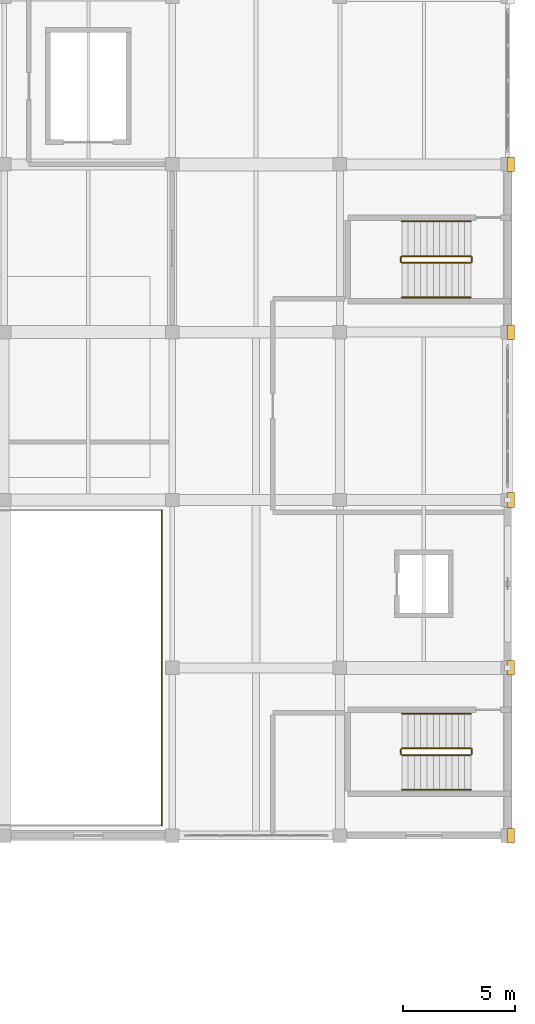
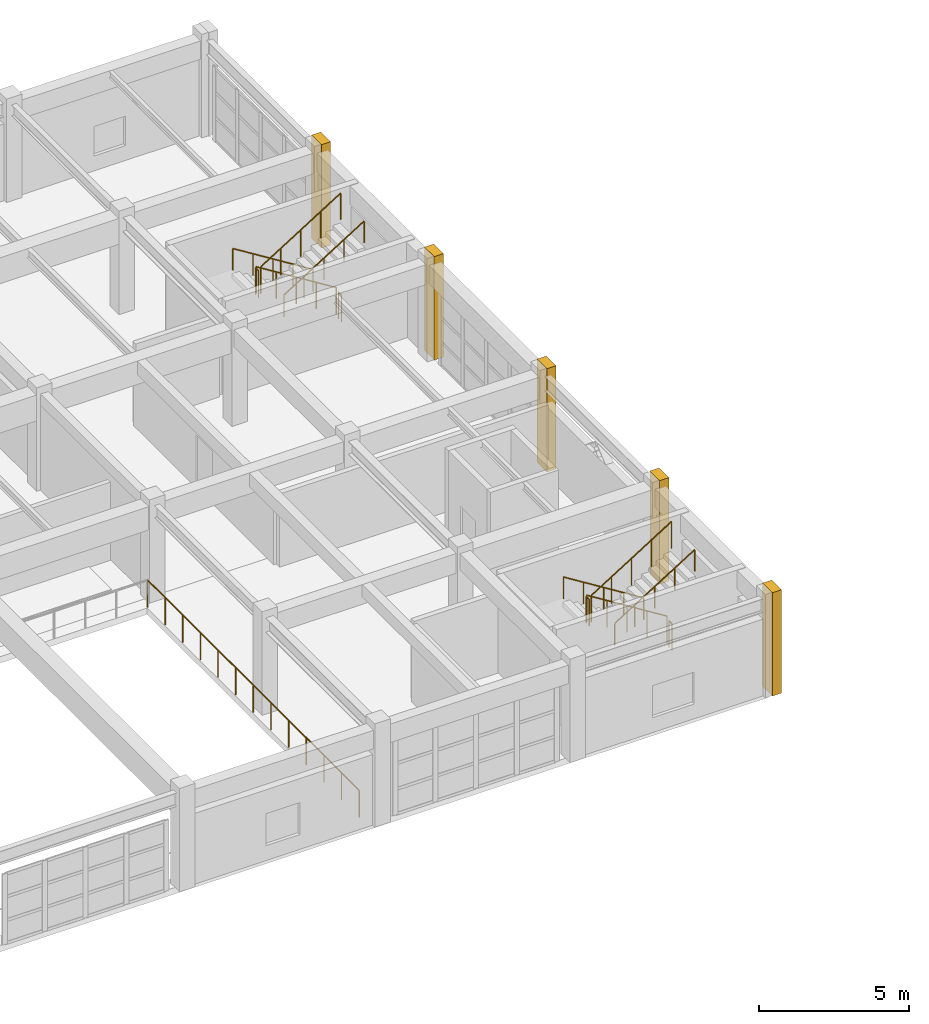
# One storey, part 123 of 124: 13 railings, 5 coverings.
"""IFC4 building model written with IfcOpenShell, lengths in metres."""

from ifc_helpers import new_model, si_unit, direction, frame, origin, origin_2d, place, context, subcontext, project, spatial, rectangle, circle, extrude, material, layer, layer_set, type_object, element, save


model = new_model("IFC4")

# Units and contexts
model_context = context("Model", 3, precision=1e-05, world=origin(), true_north=direction((0.0, 1.0)))
body_context = subcontext(model_context, "Body", "Model", "MODEL_VIEW")
ifc_project = project(units=[si_unit("LENGTHUNIT", "METRE"), si_unit("AREAUNIT", "SQUARE_METRE"), si_unit("VOLUMEUNIT", "CUBIC_METRE"), si_unit("PLANEANGLEUNIT", "RADIAN"), si_unit("MASSUNIT", "GRAM", prefix="KILO")], contexts=[model_context])

# Site, building, storey
site_placement = place(None, origin())
site = spatial("IfcSite", under=ifc_project, at=site_placement, CompositionType="ELEMENT")
building_placement = place(site_placement, origin())
building = spatial("IfcBuilding", under=site, at=building_placement, Name="Qasida Concert Hall", CompositionType="ELEMENT")
storey_placement = place(building_placement, frame((0.0, 0.0, 9.0)))
storey = spatial("IfcBuildingStorey", under=building, at=storey_placement, Name="L02", CompositionType="ELEMENT", Elevation=9.0)

# Coverings
ifc_material_1 = material(Name="Projecting fluted Lebanese limestone Art Deco pilaster", Category="masonry")
ifc_layer_1 = layer(ifc_material_1, 0.35009765625, Name="Projecting fluted Lebanese limestone Art Deco pilaster")
ifc_layer_set_1 = layer_set([ifc_layer_1], Name="Projecting fluted Lebanese limestone Art Deco pilaster")
covering_type = type_object("IfcCoveringType", Name="CV-PIL-650", PredefinedType="CLADDING", material=ifc_layer_set_1)
for number, where, z_axis, x_axis, name in (
    (1, (165.135009765625, 75.0, 0.0), (0.0, 0.0, 1.0), (1.0, 0.0, 0.0), "L02 fluted limestone pilaster 0237"),
    (2, (165.135009765625, 82.5, 0.0), (0.0, 0.0, 1.0), (1.0, 0.0, 0.0), "L02 fluted limestone pilaster 0242"),
    (3, (165.135009765625, 90.0, 0.0), (0.0, 0.0, 1.0), (1.0, 0.0, 0.0), "L02 fluted limestone pilaster 0247"),
    (4, (165.135009765625, 97.5, 0.0), (0.0, 0.0, 1.0), (1.0, 0.0, 0.0), "L02 fluted limestone pilaster 0252"),
    (5, (165.135009765625, 105.0, 0.0), (0.0, 0.0, 1.0), (1.0, 0.0, 0.0), "L02 fluted limestone pilaster 0257"),
):
    element("IfcCovering", number, at=place(storey_placement, frame(where, z_axis=z_axis, x_axis=x_axis)), inside=storey, type_object=covering_type, Name=name, PredefinedType="CLADDING", context=body_context, shape_type="SweptSolid", body=[
        extrude(rectangle(XDim=0.35009765625, YDim=0.64990234375, at=origin_2d()), origin(), (0.0, 0.0, 1.0), 4.199951171875),
    ])

# Railings
ifc_material_2 = material(Name="Patinated architectural bronze and laminated glass infill", Category="glass")
ifc_layer_2 = layer(ifc_material_2, 0.080078125, Name="Patinated architectural bronze and laminated glass infill")
ifc_layer_set_2 = layer_set([ifc_layer_2], Name="Patinated architectural bronze and laminated glass infill")
railing_type_1 = type_object("IfcRailingType", Name="RL-GRD-1100", PredefinedType="GUARDRAIL", material=ifc_layer_set_2)
railing_1_placement = place(storey_placement, frame((149.5400390625, 75.4599609375, 0.0)))
element("IfcRailing", 6, at=railing_1_placement, inside=storey, type_object=railing_type_1, Name="L02 Rehearsal void guardrail 0124", PredefinedType="GUARDRAIL", context=body_context, shape_type="SweptSolid", body=[
    extrude(circle(Radius=0.02392578125, at=origin_2d()), frame((0.0, 0.0, 1.09619140625), z_axis=(0.0, 1.0, 0.0), x_axis=(-1.0, 0.0, 0.0)), (0.0, 0.0, 1.0), 14.080078125),
    extrude(circle(Radius=0.02099609375, at=origin_2d()), origin(), (0.0, 0.0, 1.0), 1.072021484375),
    extrude(circle(Radius=0.02099609375, at=origin_2d()), frame((0.0, 1.17333984375, 0.0)), (0.0, 0.0, 1.0), 1.072021484375),
    extrude(circle(Radius=0.02099609375, at=origin_2d()), frame((0.0, 2.3466796875, 0.0)), (0.0, 0.0, 1.0), 1.072021484375),
    extrude(circle(Radius=0.02099609375, at=origin_2d()), frame((0.0, 3.52001953125, 0.0)), (0.0, 0.0, 1.0), 1.072021484375),
    extrude(circle(Radius=0.02099609375, at=origin_2d()), frame((0.0, 4.693359375, 0.0)), (0.0, 0.0, 1.0), 1.072021484375),
    extrude(circle(Radius=0.02099609375, at=origin_2d()), frame((0.0, 5.86669921875, 0.0)), (0.0, 0.0, 1.0), 1.072021484375),
    extrude(circle(Radius=0.02099609375, at=origin_2d()), frame((0.0, 7.0400390625, 0.0)), (0.0, 0.0, 1.0), 1.072021484375),
    extrude(circle(Radius=0.02099609375, at=origin_2d()), frame((0.0, 8.21337890625, 0.0)), (0.0, 0.0, 1.0), 1.072021484375),
    extrude(circle(Radius=0.02099609375, at=origin_2d()), frame((0.0, 9.38671875, 0.0)), (0.0, 0.0, 1.0), 1.072021484375),
    extrude(circle(Radius=0.02099609375, at=origin_2d()), frame((0.0, 10.56005859375, 0.0)), (0.0, 0.0, 1.0), 1.072021484375),
    extrude(circle(Radius=0.02099609375, at=origin_2d()), frame((0.0, 11.7333984375, 0.0)), (0.0, 0.0, 1.0), 1.072021484375),
    extrude(circle(Radius=0.02099609375, at=origin_2d()), frame((0.0, 12.90673828125, 0.0)), (0.0, 0.0, 1.0), 1.072021484375),
    extrude(circle(Radius=0.02099609375, at=origin_2d()), frame((0.0, 14.080078125, 0.0)), (0.0, 0.0, 1.0), 1.072021484375),
])
railing_2_placement = place(storey_placement, frame((163.35009765625, 78.89990234375, 0.175048828125)))
element("IfcRailing", 7, at=railing_2_placement, inside=storey, type_object=railing_type_1, Name="L02 ST-07 stair guard 1", PredefinedType="GUARDRAIL", context=body_context, shape_type="SweptSolid", body=[
    extrude(circle(Radius=0.02392578125, at=origin_2d()), frame((0.0, 0.0, 1.076171875), z_axis=(-0.847998304005, 0.0, 0.529998940003), x_axis=(0.0, -1.0, 0.0)), (0.0, 0.0, 1.0), 3.632080078125),
    extrude(circle(Radius=0.02099609375, at=origin_2d()), origin(), (0.0, 0.0, 1.0), 1.052001953125),
    extrude(circle(Radius=0.02099609375, at=origin_2d()), frame((-0.77001953125, 0.0, 0.481201171875)), (0.0, 0.0, 1.0), 1.052001953125),
    extrude(circle(Radius=0.02099609375, at=origin_2d()), frame((-1.5400390625, 0.0, 0.96240234375)), (0.0, 0.0, 1.0), 1.052001953125),
    extrude(circle(Radius=0.02099609375, at=origin_2d()), frame((-2.31005859375, 0.0, 1.44384765625)), (0.0, 0.0, 1.0), 1.052001953125),
    extrude(circle(Radius=0.02099609375, at=origin_2d()), frame((-3.080078125, 0.0, 1.925048828125)), (0.0, 0.0, 1.0), 1.052001953125),
])
railing_3_placement = place(storey_placement, frame((160.219970703125, 78.85009765625, 2.10009765625)))
element("IfcRailing", 8, at=railing_3_placement, inside=storey, type_object=railing_type_1, Name="L02 ST-07 stair guard 2", PredefinedType="GUARDRAIL", context=body_context, shape_type="SweptSolid", body=[
    extrude(circle(Radius=0.02392578125, at=origin_2d()), frame((0.0, 0.0, 1.076171875), z_axis=(0.0, -1.0, 0.0), x_axis=(1.0, 0.0, 0.0)), (0.0, 0.0, 1.0), 0.2001953125),
    extrude(circle(Radius=0.02099609375, at=origin_2d()), origin(), (0.0, 0.0, 1.0), 1.052001953125),
    extrude(circle(Radius=0.02099609375, at=origin_2d()), frame((0.0, -0.2001953125, 0.0)), (0.0, 0.0, 1.0), 1.052001953125),
])
railing_4_placement = place(storey_placement, frame((160.27001953125, 78.60009765625, 2.27490234375)))
element("IfcRailing", 9, at=railing_4_placement, inside=storey, type_object=railing_type_1, Name="L02 ST-07 stair guard 3", PredefinedType="GUARDRAIL", context=body_context, shape_type="SweptSolid", body=[
    extrude(circle(Radius=0.02392578125, at=origin_2d()), frame((0.0, 0.0, 1.076171875), z_axis=(0.847998304005, 0.0, 0.529998940003), x_axis=(0.0, 1.0, 0.0)), (0.0, 0.0, 1.0), 3.632080078125),
    extrude(circle(Radius=0.02099609375, at=origin_2d()), origin(), (0.0, 0.0, 1.0), 1.052001953125),
    extrude(circle(Radius=0.02099609375, at=origin_2d()), frame((0.77001953125, 0.0, 0.481201171875)), (0.0, 0.0, 1.0), 1.052001953125),
    extrude(circle(Radius=0.02099609375, at=origin_2d()), frame((1.5400390625, 0.0, 0.96240234375)), (0.0, 0.0, 1.0), 1.052001953125),
    extrude(circle(Radius=0.02099609375, at=origin_2d()), frame((2.31005859375, 0.0, 1.44384765625)), (0.0, 0.0, 1.0), 1.052001953125),
    extrude(circle(Radius=0.02099609375, at=origin_2d()), frame((3.080078125, 0.0, 1.925048828125)), (0.0, 0.0, 1.0), 1.052001953125),
])
railing_5_placement = place(storey_placement, frame((163.39990234375, 78.85009765625, 0.0)))
element("IfcRailing", 10, at=railing_5_placement, inside=storey, type_object=railing_type_1, Name="L02 ST-07 stair guard 4", PredefinedType="GUARDRAIL", context=body_context, shape_type="SweptSolid", body=[
    extrude(circle(Radius=0.02392578125, at=origin_2d()), frame((0.0, 0.0, 1.076171875), z_axis=(0.0, -1.0, 0.0), x_axis=(1.0, 0.0, 0.0)), (0.0, 0.0, 1.0), 0.2001953125),
    extrude(circle(Radius=0.02099609375, at=origin_2d()), origin(), (0.0, 0.0, 1.0), 1.052001953125),
    extrude(circle(Radius=0.02099609375, at=origin_2d()), frame((0.0, -0.2001953125, 0.0)), (0.0, 0.0, 1.0), 1.052001953125),
])
railing_6_placement = place(storey_placement, frame((163.35009765625, 100.89990234375, 0.175048828125)))
element("IfcRailing", 11, at=railing_6_placement, inside=storey, type_object=railing_type_1, Name="L02 ST-08 stair guard 1", PredefinedType="GUARDRAIL", context=body_context, shape_type="SweptSolid", body=[
    extrude(circle(Radius=0.02392578125, at=origin_2d()), frame((0.0, 0.0, 1.076171875), z_axis=(-0.847998304005, 0.0, 0.529998940003), x_axis=(0.0, -1.0, 0.0)), (0.0, 0.0, 1.0), 3.632080078125),
    extrude(circle(Radius=0.02099609375, at=origin_2d()), origin(), (0.0, 0.0, 1.0), 1.052001953125),
    extrude(circle(Radius=0.02099609375, at=origin_2d()), frame((-0.77001953125, 0.0, 0.481201171875)), (0.0, 0.0, 1.0), 1.052001953125),
    extrude(circle(Radius=0.02099609375, at=origin_2d()), frame((-1.5400390625, 0.0, 0.96240234375)), (0.0, 0.0, 1.0), 1.052001953125),
    extrude(circle(Radius=0.02099609375, at=origin_2d()), frame((-2.31005859375, 0.0, 1.44384765625)), (0.0, 0.0, 1.0), 1.052001953125),
    extrude(circle(Radius=0.02099609375, at=origin_2d()), frame((-3.080078125, 0.0, 1.925048828125)), (0.0, 0.0, 1.0), 1.052001953125),
])
railing_7_placement = place(storey_placement, frame((160.219970703125, 100.85009765625, 2.10009765625)))
element("IfcRailing", 12, at=railing_7_placement, inside=storey, type_object=railing_type_1, Name="L02 ST-08 stair guard 2", PredefinedType="GUARDRAIL", context=body_context, shape_type="SweptSolid", body=[
    extrude(circle(Radius=0.02392578125, at=origin_2d()), frame((0.0, 0.0, 1.076171875), z_axis=(0.0, -1.0, 0.0), x_axis=(1.0, 0.0, 0.0)), (0.0, 0.0, 1.0), 0.2001953125),
    extrude(circle(Radius=0.02099609375, at=origin_2d()), origin(), (0.0, 0.0, 1.0), 1.052001953125),
    extrude(circle(Radius=0.02099609375, at=origin_2d()), frame((0.0, -0.2001953125, 0.0)), (0.0, 0.0, 1.0), 1.052001953125),
])
railing_8_placement = place(storey_placement, frame((160.27001953125, 100.60009765625, 2.27490234375)))
element("IfcRailing", 13, at=railing_8_placement, inside=storey, type_object=railing_type_1, Name="L02 ST-08 stair guard 3", PredefinedType="GUARDRAIL", context=body_context, shape_type="SweptSolid", body=[
    extrude(circle(Radius=0.02392578125, at=origin_2d()), frame((0.0, 0.0, 1.076171875), z_axis=(0.847998304005, 0.0, 0.529998940003), x_axis=(0.0, 1.0, 0.0)), (0.0, 0.0, 1.0), 3.632080078125),
    extrude(circle(Radius=0.02099609375, at=origin_2d()), origin(), (0.0, 0.0, 1.0), 1.052001953125),
    extrude(circle(Radius=0.02099609375, at=origin_2d()), frame((0.77001953125, 0.0, 0.481201171875)), (0.0, 0.0, 1.0), 1.052001953125),
    extrude(circle(Radius=0.02099609375, at=origin_2d()), frame((1.5400390625, 0.0, 0.96240234375)), (0.0, 0.0, 1.0), 1.052001953125),
    extrude(circle(Radius=0.02099609375, at=origin_2d()), frame((2.31005859375, 0.0, 1.44384765625)), (0.0, 0.0, 1.0), 1.052001953125),
    extrude(circle(Radius=0.02099609375, at=origin_2d()), frame((3.080078125, 0.0, 1.925048828125)), (0.0, 0.0, 1.0), 1.052001953125),
])
railing_9_placement = place(storey_placement, frame((163.39990234375, 100.85009765625, 0.0)))
element("IfcRailing", 14, at=railing_9_placement, inside=storey, type_object=railing_type_1, Name="L02 ST-08 stair guard 4", PredefinedType="GUARDRAIL", context=body_context, shape_type="SweptSolid", body=[
    extrude(circle(Radius=0.02392578125, at=origin_2d()), frame((0.0, 0.0, 1.076171875), z_axis=(0.0, -1.0, 0.0), x_axis=(1.0, 0.0, 0.0)), (0.0, 0.0, 1.0), 0.2001953125),
    extrude(circle(Radius=0.02099609375, at=origin_2d()), origin(), (0.0, 0.0, 1.0), 1.052001953125),
    extrude(circle(Radius=0.02099609375, at=origin_2d()), frame((0.0, -0.2001953125, 0.0)), (0.0, 0.0, 1.0), 1.052001953125),
])
ifc_material_3 = material(Name="Patinated tubular architectural bronze", Category="steel")
ifc_layer_3 = layer(ifc_material_3, 0.050048828125, Name="Patinated tubular architectural bronze")
ifc_layer_set_3 = layer_set([ifc_layer_3], Name="Patinated tubular architectural bronze")
railing_type_2 = type_object("IfcRailingType", Name="RL-HND-900", PredefinedType="HANDRAIL", material=ifc_layer_set_3)
railing_10_placement = place(storey_placement, frame((163.35009765625, 80.449951171875, 0.175048828125)))
element("IfcRailing", 15, at=railing_10_placement, inside=storey, type_object=railing_type_2, Name="L02 ST-07 stair handrail 1", PredefinedType="HANDRAIL", context=body_context, shape_type="SweptSolid", body=[
    extrude(circle(Radius=0.02392578125, at=origin_2d()), frame((0.0, 0.0, 0.8759765625), z_axis=(-0.847998304005, 0.0, 0.529998940003), x_axis=(0.0, -1.0, 0.0)), (0.0, 0.0, 1.0), 3.632080078125),
    extrude(circle(Radius=0.02099609375, at=origin_2d()), origin(), (0.0, 0.0, 1.0), 0.851806640625),
    extrude(circle(Radius=0.02099609375, at=origin_2d()), frame((-0.77001953125, 0.0, 0.481201171875)), (0.0, 0.0, 1.0), 0.851806640625),
    extrude(circle(Radius=0.02099609375, at=origin_2d()), frame((-1.5400390625, 0.0, 0.96240234375)), (0.0, 0.0, 1.0), 0.851806640625),
    extrude(circle(Radius=0.02099609375, at=origin_2d()), frame((-2.31005859375, 0.0, 1.44384765625)), (0.0, 0.0, 1.0), 0.851806640625),
    extrude(circle(Radius=0.02099609375, at=origin_2d()), frame((-3.080078125, 0.0, 1.925048828125)), (0.0, 0.0, 1.0), 0.851806640625),
])
railing_11_placement = place(storey_placement, frame((160.27001953125, 77.050048828125, 2.27490234375)))
element("IfcRailing", 16, at=railing_11_placement, inside=storey, type_object=railing_type_2, Name="L02 ST-07 stair handrail 2", PredefinedType="HANDRAIL", context=body_context, shape_type="SweptSolid", body=[
    extrude(circle(Radius=0.02392578125, at=origin_2d()), frame((0.0, 0.0, 0.8759765625), z_axis=(0.847998304005, 0.0, 0.529998940003), x_axis=(0.0, 1.0, 0.0)), (0.0, 0.0, 1.0), 3.632080078125),
    extrude(circle(Radius=0.02099609375, at=origin_2d()), origin(), (0.0, 0.0, 1.0), 0.851806640625),
    extrude(circle(Radius=0.02099609375, at=origin_2d()), frame((0.77001953125, 0.0, 0.481201171875)), (0.0, 0.0, 1.0), 0.851806640625),
    extrude(circle(Radius=0.02099609375, at=origin_2d()), frame((1.5400390625, 0.0, 0.96240234375)), (0.0, 0.0, 1.0), 0.851806640625),
    extrude(circle(Radius=0.02099609375, at=origin_2d()), frame((2.31005859375, 0.0, 1.44384765625)), (0.0, 0.0, 1.0), 0.851806640625),
    extrude(circle(Radius=0.02099609375, at=origin_2d()), frame((3.080078125, 0.0, 1.925048828125)), (0.0, 0.0, 1.0), 0.851806640625),
])
railing_12_placement = place(storey_placement, frame((163.35009765625, 102.449951171875, 0.175048828125)))
element("IfcRailing", 17, at=railing_12_placement, inside=storey, type_object=railing_type_2, Name="L02 ST-08 stair handrail 1", PredefinedType="HANDRAIL", context=body_context, shape_type="SweptSolid", body=[
    extrude(circle(Radius=0.02392578125, at=origin_2d()), frame((0.0, 0.0, 0.8759765625), z_axis=(-0.847998304005, 0.0, 0.529998940003), x_axis=(0.0, -1.0, 0.0)), (0.0, 0.0, 1.0), 3.632080078125),
    extrude(circle(Radius=0.02099609375, at=origin_2d()), origin(), (0.0, 0.0, 1.0), 0.851806640625),
    extrude(circle(Radius=0.02099609375, at=origin_2d()), frame((-0.77001953125, 0.0, 0.481201171875)), (0.0, 0.0, 1.0), 0.851806640625),
    extrude(circle(Radius=0.02099609375, at=origin_2d()), frame((-1.5400390625, 0.0, 0.96240234375)), (0.0, 0.0, 1.0), 0.851806640625),
    extrude(circle(Radius=0.02099609375, at=origin_2d()), frame((-2.31005859375, 0.0, 1.44384765625)), (0.0, 0.0, 1.0), 0.851806640625),
    extrude(circle(Radius=0.02099609375, at=origin_2d()), frame((-3.080078125, 0.0, 1.925048828125)), (0.0, 0.0, 1.0), 0.851806640625),
])
railing_13_placement = place(storey_placement, frame((160.27001953125, 99.050048828125, 2.27490234375)))
element("IfcRailing", 18, at=railing_13_placement, inside=storey, type_object=railing_type_2, Name="L02 ST-08 stair handrail 2", PredefinedType="HANDRAIL", context=body_context, shape_type="SweptSolid", body=[
    extrude(circle(Radius=0.02392578125, at=origin_2d()), frame((0.0, 0.0, 0.8759765625), z_axis=(0.847998304005, 0.0, 0.529998940003), x_axis=(0.0, 1.0, 0.0)), (0.0, 0.0, 1.0), 3.632080078125),
    extrude(circle(Radius=0.02099609375, at=origin_2d()), origin(), (0.0, 0.0, 1.0), 0.851806640625),
    extrude(circle(Radius=0.02099609375, at=origin_2d()), frame((0.77001953125, 0.0, 0.481201171875)), (0.0, 0.0, 1.0), 0.851806640625),
    extrude(circle(Radius=0.02099609375, at=origin_2d()), frame((1.5400390625, 0.0, 0.96240234375)), (0.0, 0.0, 1.0), 0.851806640625),
    extrude(circle(Radius=0.02099609375, at=origin_2d()), frame((2.31005859375, 0.0, 1.44384765625)), (0.0, 0.0, 1.0), 0.851806640625),
    extrude(circle(Radius=0.02099609375, at=origin_2d()), frame((3.080078125, 0.0, 1.925048828125)), (0.0, 0.0, 1.0), 0.851806640625),
])

save(model, "model.ifc")
